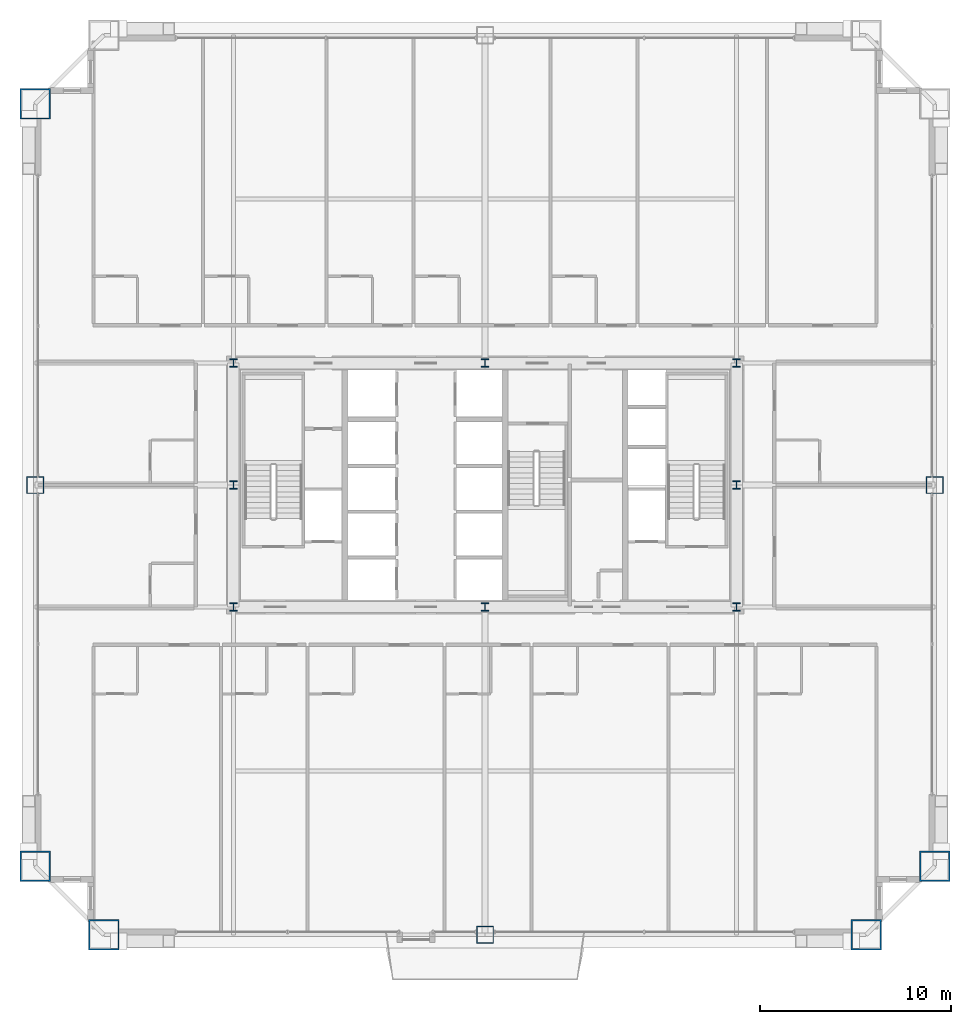
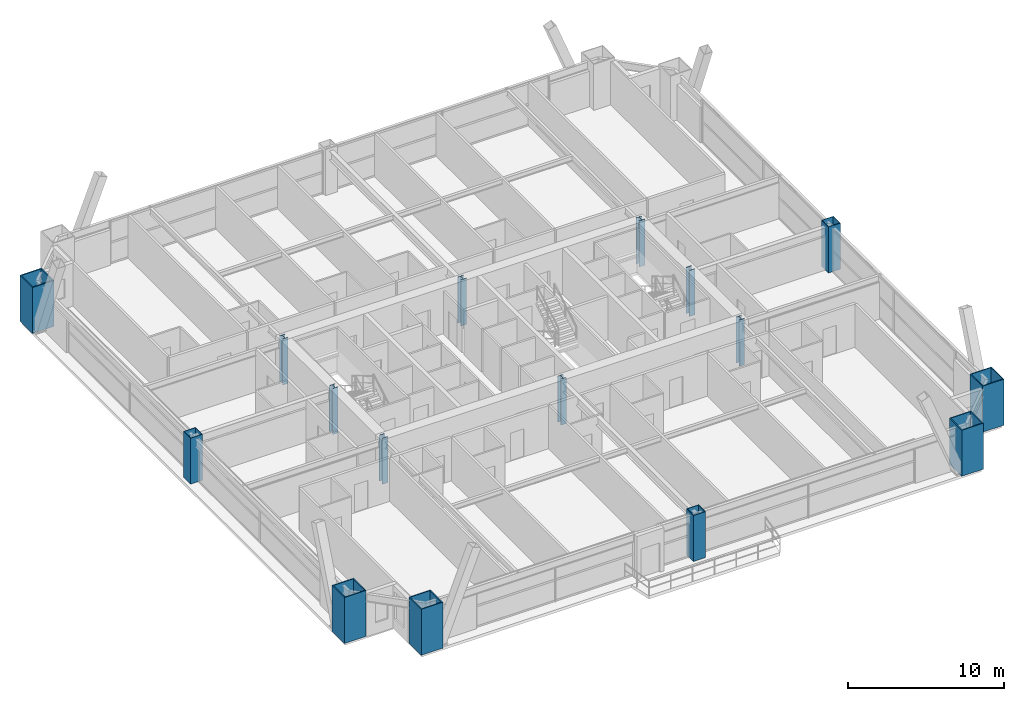
# One storey, part 1 of 43: 16 columns.
"""IFC4 building model written with IfcOpenShell, lengths in metres."""

from ifc_helpers import new_model, si_unit, direction, frame, origin, origin_2d, place, context, subcontext, project, spatial, hollow_rectangle, i_section, extrude, source, transform, mapped, material, material_profile, profile_set, type_object, element, save


model = new_model("IFC4")

# Units and contexts
model_context = context("Model", 3, precision=1e-05, world=origin(), true_north=direction((0.0, 1.0)))
body_context = subcontext(model_context, "Body", "Model", "MODEL_VIEW")
ifc_project = project(units=[si_unit("LENGTHUNIT", "METRE"), si_unit("AREAUNIT", "SQUARE_METRE"), si_unit("VOLUMEUNIT", "CUBIC_METRE"), si_unit("PLANEANGLEUNIT", "RADIAN"), si_unit("MASSUNIT", "GRAM", prefix="KILO"), si_unit("THERMODYNAMICTEMPERATUREUNIT", "KELVIN"), si_unit("POWERUNIT", "WATT")], contexts=[model_context])

# Site, building, storey
site_placement = place(None, origin())
site = spatial("IfcSite", under=ifc_project, at=site_placement, CompositionType="ELEMENT")
building_placement = place(site_placement, origin())
building = spatial("IfcBuilding", under=site, at=building_placement, Name="Yuzanri Waterfront Tower", CompositionType="ELEMENT")
storey_placement = place(building_placement, frame((0.0, 0.0, 93.800048828125)))
storey = spatial("IfcBuildingStorey", under=building, at=storey_placement, Name="L24", CompositionType="ELEMENT", Elevation=93.800048828125)

# Columns
ifc_material_1 = material(Name="Steel Q355B", Category="steel")
ifc_material_profile_1 = material_profile(ifc_material_1, i_section(OverallWidth=0.406982421875, OverallDepth=0.427978515625, WebThickness=0.02001953125, FlangeThickness=0.034912109375, at=origin_2d()), Name="HW 428x407x20x35")
ifc_profile_set_1 = profile_set([ifc_material_profile_1], Name="Steel Q355B")
column_type_1 = type_object("IfcColumnType", Name="Core Post Q355B HW 428x407x20x35", PredefinedType="COLUMN", material=ifc_profile_set_1)
shared_shape_1 = source(origin(), body_context, "Body", "SweptSolid", [
    extrude(i_section(OverallWidth=0.406982421875, OverallDepth=0.427978515625, WebThickness=0.02001953125, FlangeThickness=0.034912109375, at=origin_2d()), origin(), (0.0, 0.0, 1.0), 3.599853515625),
])
for number, where, z_axis, x_axis, name in (
    (1, (23.800048828125, 19.39990234375, 0.0), (0.0, 0.0, 1.0), (1.0, 0.0, 0.0), "L24 Core Boundary Column CP1"),
    (2, (37.0, 19.39990234375, 0.0), (0.0, 0.0, 1.0), (1.0, 0.0, 0.0), "L24 Core Boundary Column CP2"),
    (3, (50.199951171875, 19.39990234375, 0.0), (0.0, 0.0, 1.0), (1.0, 0.0, 0.0), "L24 Core Boundary Column CP3"),
    (4, (23.800048828125, 25.800048828125, 0.0), (0.0, 0.0, 1.0), (1.0, 0.0, 0.0), "L24 Core Boundary Column CP4"),
    (5, (50.199951171875, 25.800048828125, 0.0), (0.0, 0.0, 1.0), (1.0, 0.0, 0.0), "L24 Core Boundary Column CP5"),
    (6, (23.800048828125, 32.199951171875, 0.0), (0.0, 0.0, 1.0), (1.0, 0.0, 0.0), "L24 Core Boundary Column CP6"),
    (7, (37.0, 32.199951171875, 0.0), (0.0, 0.0, 1.0), (1.0, 0.0, 0.0), "L24 Core Boundary Column CP7"),
    (8, (50.199951171875, 32.199951171875, 0.0), (0.0, 0.0, 1.0), (1.0, 0.0, 0.0), "L24 Core Boundary Column CP8"),
):
    element("IfcColumn", number, at=place(storey_placement, frame(where, z_axis=z_axis, x_axis=x_axis)), inside=storey, type_object=column_type_1, Name=name, PredefinedType="COLUMN", context=body_context, shape_type="MappedRepresentation", body=[
        mapped(shared_shape_1, transform((0.0, 0.0, 0.0), scale=1.0)),
    ])
ifc_material_2 = material(Name="Steel Q390GJC", Category="steel")
ifc_material_profile_2 = material_profile(ifc_material_2, hollow_rectangle(XDim=0.89990234375, YDim=0.89990234375, WallThickness=0.0419921875, at=origin_2d()), Name="RHS 900x900x42")
ifc_profile_set_2 = profile_set([ifc_material_profile_2], Name="Steel Q390GJC")
column_type_2 = type_object("IfcColumnType", Name="Frame Column Q390GJC RHS 900x900x42", PredefinedType="COLUMN", material=ifc_profile_set_2)
shared_shape_2 = source(origin(), body_context, "Body", "SweptSolid", [
    extrude(hollow_rectangle(XDim=0.89990234375, YDim=0.89990234375, WallThickness=0.0419921875, at=origin_2d()), origin(), (0.0, 0.0, 1.0), 3.599853515625),
])
for number, where, z_axis, x_axis, name in (
    (9, (37.0, 2.199951171875, 0.0), (0.0, 0.0, 1.0), (1.0, 0.0, 0.0), "L24 Perimeter Frame Column S2"),
    (10, (13.39990234375, 25.800048828125, 0.0), (0.0, 0.0, 1.0), (1.0, 0.0, 0.0), "L24 Perimeter Frame Column W2"),
    (11, (60.60009765625, 25.800048828125, 0.0), (0.0, 0.0, 1.0), (1.0, 0.0, 0.0), "L24 Perimeter Frame Column E2"),
):
    element("IfcColumn", number, at=place(storey_placement, frame(where, z_axis=z_axis, x_axis=x_axis)), inside=storey, type_object=column_type_2, Name=name, PredefinedType="COLUMN", context=body_context, shape_type="MappedRepresentation", body=[
        mapped(shared_shape_2, transform((0.0, 0.0, 0.0), scale=1.0)),
    ])
ifc_material_3 = material(Name="Steel Q420GJC", Category="steel")
ifc_material_profile_3 = material_profile(ifc_material_3, hollow_rectangle(XDim=1.60009765625, YDim=1.60009765625, WallThickness=0.070068359375, at=origin_2d()), Name="RHS 1600x1600x70")
ifc_profile_set_3 = profile_set([ifc_material_profile_3], Name="Steel Q420GJC")
column_type_3 = type_object("IfcColumnType", Name="Mega Column Q420GJC RHS 1600x1600x70", PredefinedType="COLUMN", material=ifc_profile_set_3)
shared_shape_3 = source(origin(), body_context, "Body", "SweptSolid", [
    extrude(hollow_rectangle(XDim=1.60009765625, YDim=1.60009765625, WallThickness=0.070068359375, at=origin_2d()), origin(), (0.0, 0.0, 1.0), 3.599853515625),
])
for number, where, z_axis, x_axis, name in (
    (12, (17.0, 2.199951171875, 0.0), (0.0, 0.0, 1.0), (1.0, 0.0, 0.0), "L24 Perimeter Mega Column S1"),
    (13, (57.0, 2.199951171875, 0.0), (0.0, 0.0, 1.0), (1.0, 0.0, 0.0), "L24 Perimeter Mega Column S3"),
    (14, (13.39990234375, 5.800048828125, 0.0), (0.0, 0.0, 1.0), (1.0, 0.0, 0.0), "L24 Perimeter Mega Column W1"),
    (15, (13.39990234375, 45.800048828125, 0.0), (0.0, 0.0, 1.0), (1.0, 0.0, 0.0), "L24 Perimeter Mega Column W3"),
    (16, (60.60009765625, 5.800048828125, 0.0), (0.0, 0.0, 1.0), (1.0, 0.0, 0.0), "L24 Perimeter Mega Column E1"),
):
    element("IfcColumn", number, at=place(storey_placement, frame(where, z_axis=z_axis, x_axis=x_axis)), inside=storey, type_object=column_type_3, Name=name, PredefinedType="COLUMN", context=body_context, shape_type="MappedRepresentation", body=[
        mapped(shared_shape_3, transform((0.0, 0.0, 0.0), scale=1.0)),
    ])

save(model, "model.ifc")
